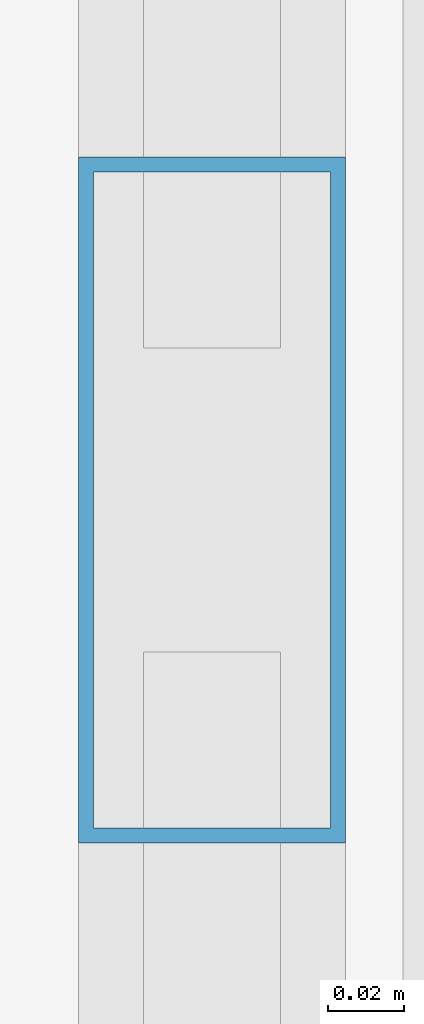
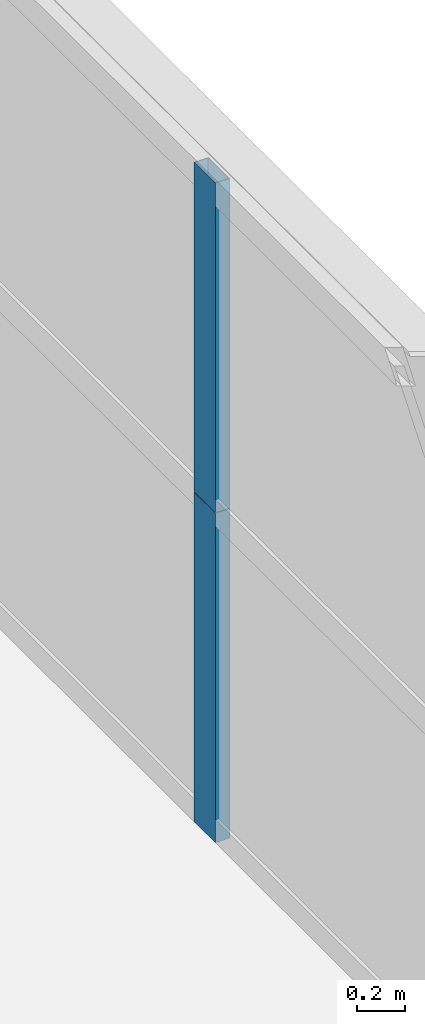
# One storey, part 20 of 45: 2 members, 1 element without a shape of its own.
"""IFC4 building model written with IfcOpenShell, lengths in metres."""

from ifc_helpers import new_model, si_unit, direction, frame, origin, origin_2d, place, context, subcontext, project, spatial, hollow_rectangle, extrude, source, transform, mapped, material, layer, layer_set, material_profile, profile_set, type_object, element, aggregate, save


model = new_model("IFC4")

# Units and contexts
model_context = context("Model", 3, precision=1e-05, world=origin(), true_north=direction((0.0, 1.0)))
body_context = subcontext(model_context, "Body", "Model", "MODEL_VIEW")
ifc_project = project(units=[si_unit("LENGTHUNIT", "METRE"), si_unit("AREAUNIT", "SQUARE_METRE"), si_unit("VOLUMEUNIT", "CUBIC_METRE"), si_unit("PLANEANGLEUNIT", "RADIAN"), si_unit("MASSUNIT", "GRAM", prefix="KILO"), si_unit("THERMODYNAMICTEMPERATUREUNIT", "KELVIN"), si_unit("POWERUNIT", "WATT")], contexts=[model_context])

# Site, building, storey
site_placement = place(None, origin())
site = spatial("IfcSite", under=ifc_project, at=site_placement, CompositionType="ELEMENT")
building_placement = place(site_placement, origin())
building = spatial("IfcBuilding", under=site, at=building_placement, Name="Yuzanri Waterfront Tower", CompositionType="ELEMENT")
storey_placement = place(building_placement, frame((0.0, 0.0, 49.60009765625)))
storey = spatial("IfcBuildingStorey", under=building, at=storey_placement, Name="L12", CompositionType="ELEMENT", Elevation=49.60009765625)

# Curtain wall, members
ifc_material_1 = material(Name="Anodized Architectural Bronze", Category="metal")
ifc_layer = layer(ifc_material_1, 0.159912109375)
ifc_layer_set = layer_set([ifc_layer], Name="Anodized Architectural Bronze")
curtain_wall_type = type_object("IfcCurtainWallType", Name="Anodized Bronze Hotel Lower-Tier Recessed Unitized Curtain Wall 8100", PredefinedType="NOTDEFINED", material=ifc_layer_set)
curtain_wall_placement = place(storey_placement, origin())
curtain_wall = element("IfcCurtainWall", 1, at=curtain_wall_placement, inside=storey, type_object=curtain_wall_type, Name="L12 Curtain Wall CW-L12-EL", PredefinedType="NOTDEFINED")
ifc_material_2 = material(Name="Anodized Architectural Bronze", Category="metal")
ifc_material_profile = material_profile(ifc_material_2, hollow_rectangle(XDim=0.070068359375, YDim=0.179931640625, WallThickness=0.00390625, at=origin_2d()), Name="CWM 70x180")
ifc_profile_set = profile_set([ifc_material_profile], Name="Anodized Architectural Bronze")
member_type = type_object("IfcMemberType", Name="Anodized Bronze Standard Curtain-Wall Mullion 70x180", PredefinedType="MULLION", material=ifc_profile_set)
shared_shape = source(origin(), body_context, "Body", "SweptSolid", [
    extrude(hollow_rectangle(XDim=0.070068359375, YDim=0.179931640625, WallThickness=0.00390625, at=origin_2d()), origin(), (0.0, 0.0, 1.0), 1.68798828125),
])
member_1_placement = place(storey_placement, frame((61.949951171875, 16.699951171875, 0.0), z_axis=(0.0, 0.0, 1.0), x_axis=(1.0, 0.0, 0.0)))
member_1 = element("IfcMember", 2, at=member_1_placement, type_object=member_type, Name="CW-L12-EL Lower Mullion 01", PredefinedType="MULLION", context=body_context, shape_type="MappedRepresentation", body=[
    mapped(shared_shape, transform((0.0, 0.0, 0.0), scale=1.0)),
])
member_2_placement = place(storey_placement, frame((61.949951171875, 16.699951171875, 1.69189453125), z_axis=(0.0, 0.0, 1.0), x_axis=(1.0, 0.0, 0.0)))
member_2 = element("IfcMember", 3, at=member_2_placement, type_object=member_type, Name="CW-L12-EL Upper Mullion 01", PredefinedType="MULLION", context=body_context, shape_type="MappedRepresentation", body=[
    mapped(shared_shape, transform((0.0, 0.0, 0.0), scale=1.0)),
])
aggregate(curtain_wall, [member_1, member_2])

save(model, "model.ifc")
